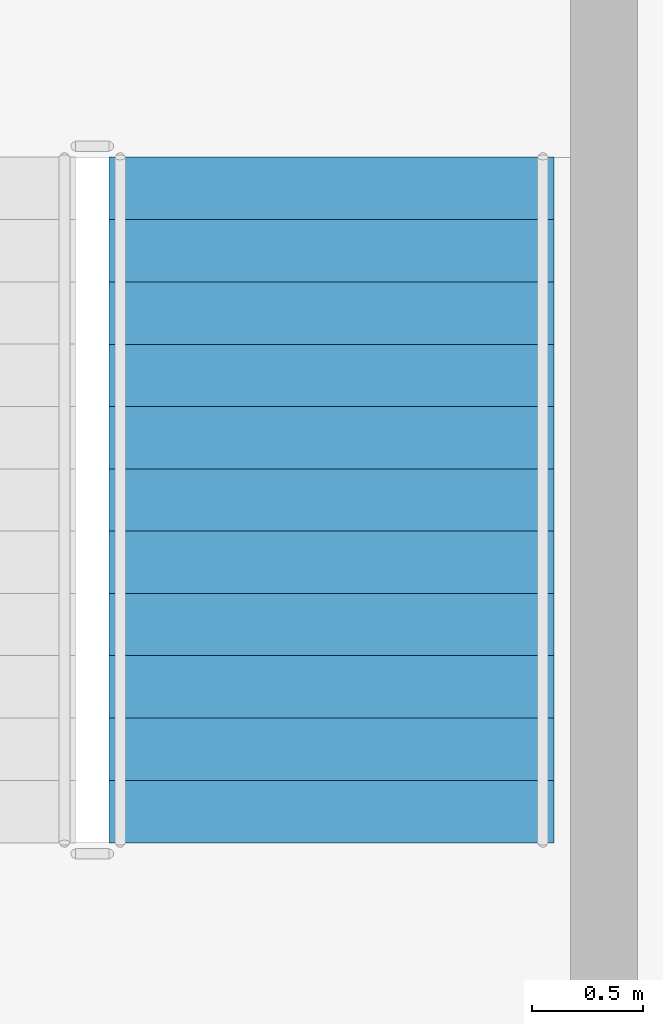
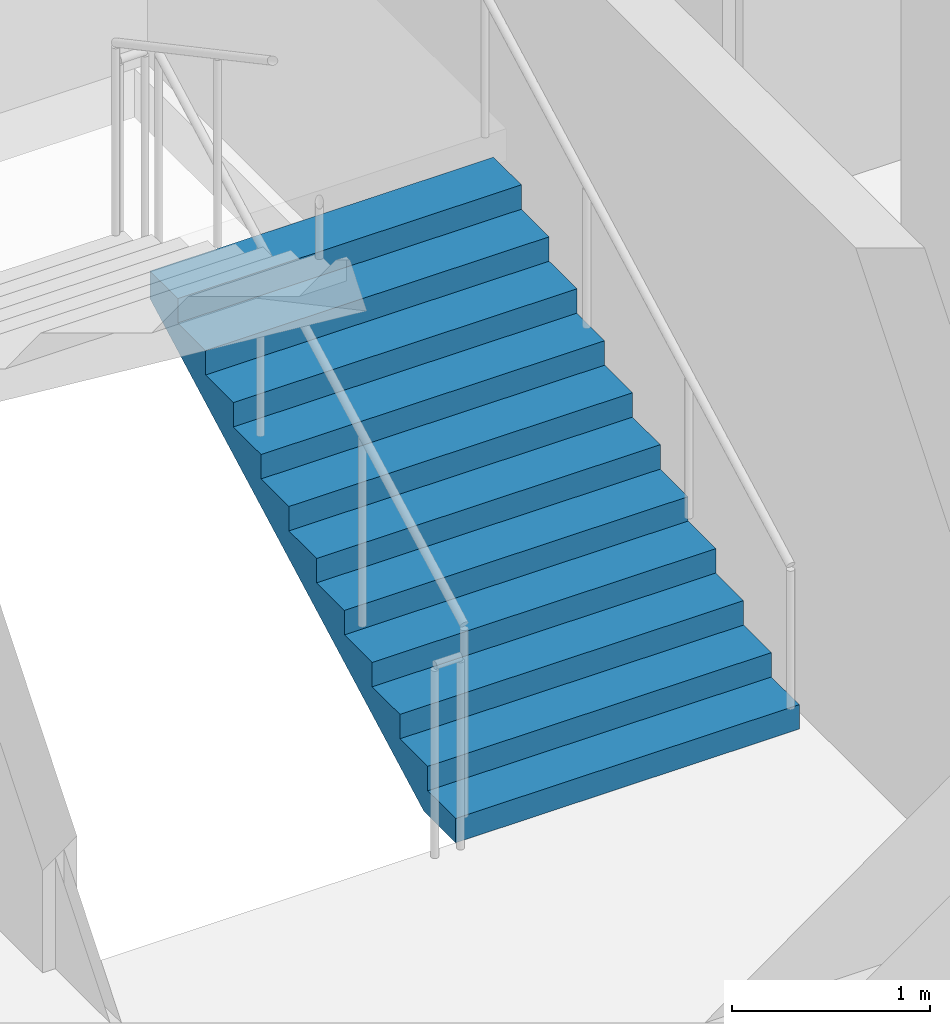
# One storey, part 12 of 15: 1 stair flight, 1 element without a shape of its own.
"""IFC4 building model written with IfcOpenShell, lengths in metres."""

from ifc_helpers import new_model, si_unit, direction, frame, origin, place, context, subcontext, project, spatial, polygons, material, type_object, element, aggregate, save


model = new_model("IFC4")

# Units and contexts
model_context = context("Model", 3, precision=1e-05, world=origin(), true_north=direction((0.0, 1.0)))
body_context = subcontext(model_context, "Body", "Model", "MODEL_VIEW")
ifc_project = project(units=[si_unit("LENGTHUNIT", "METRE"), si_unit("AREAUNIT", "SQUARE_METRE"), si_unit("VOLUMEUNIT", "CUBIC_METRE"), si_unit("PLANEANGLEUNIT", "RADIAN"), si_unit("MASSUNIT", "GRAM", prefix="KILO")], contexts=[model_context])

# Site, building, storey
site_placement = place(None, origin())
site = spatial("IfcSite", under=ifc_project, at=site_placement, CompositionType="ELEMENT")
building_placement = place(site_placement, origin())
building = spatial("IfcBuilding", under=site, at=building_placement, Name="Caravel Reach Hotel and Residences", CompositionType="ELEMENT")
storey_placement = place(building_placement, frame((0.0, 0.0, 92.39990234375)))
storey = spatial("IfcBuildingStorey", under=building, at=storey_placement, Name="L22", CompositionType="ELEMENT", Elevation=92.39990234375)

# Stair, stair flight
ifc_material_1 = material(Name="Concrete C40", Category="concrete")
stair_type = type_object("IfcStairType", Name="Core stair", PredefinedType="HALF_TURN_STAIR", material=ifc_material_1)
stair_placement = place(storey_placement, origin())
stair = element("IfcStair", 1, at=stair_placement, inside=storey, type_object=stair_type, Name="L22 Exit stair B", PredefinedType="HALF_TURN_STAIR")
ifc_material_2 = material(Name="Concrete C40", Category="concrete")
stair_flight_type = type_object("IfcStairFlightType", Name="Core stair flight", PredefinedType="STRAIGHT", material=ifc_material_2)
stair_flight_placement = place(storey_placement, frame((43.77490234375, 24.64990234375, 0.0), z_axis=(0.0, 0.0, 1.0), x_axis=(0.0, 1.0, 0.0)))
stair_flight = element("IfcStairFlight", 2, at=stair_flight_placement, type_object=stair_flight_type, Name="ST-B flight 1", NumberOfRisers=12, NumberOfTreads=11, PredefinedType="STRAIGHT", RiserHeight=0.15, TreadLength=0.28, context=body_context, shape_type="Tessellation", body=[
    polygons([(0.3174408016601862, 1.0, 0.0), (0.3174408016601862, 0.6666666666666667, 0.0), (0.3174408016601862, 0.33333333333333337, 0.0), (0.3174408016601862, 0.0, 0.0), (0.3174408016601862, -0.33333333333333326, 0.0), (0.3174408016601862, -0.6666666666666667, 0.0), (0.3174408016601862, -1.0, 0.0), (3.081, 1.0, 1.479942427682043), (3.081, 0.6666666666666667, 1.479942427682043), (3.081, 0.33333333333333337, 1.479942427682043), (3.081, 0.0, 1.479942427682043), (3.081, -0.33333333333333326, 1.479942427682043), (3.081, -0.6666666666666667, 1.479942427682043), (3.081, -1.0, 1.479942427682043), (3.081, 1.0, 1.65), (3.081, 0.6666666666666667, 1.65), (3.081, 0.33333333333333337, 1.65), (3.081, 0.0, 1.65), (3.081, -0.33333333333333326, 1.65), (3.081, -0.6666666666666667, 1.65), (3.081, -1.0, 1.65), (2.8000000000000003, 1.0, 1.65), (2.8000000000000003, 0.6666666666666667, 1.65), (2.8000000000000003, 0.33333333333333337, 1.65), (2.8000000000000003, 0.0, 1.65), (2.8000000000000003, -0.33333333333333326, 1.65), (2.8000000000000003, -0.6666666666666667, 1.65), (2.8000000000000003, -1.0, 1.65), (2.8000000000000003, 1.0, 1.5), (2.8000000000000003, 0.6666666666666667, 1.5), (2.8000000000000003, 0.33333333333333337, 1.5), (2.8000000000000003, 0.0, 1.5), (2.8000000000000003, -0.33333333333333326, 1.5), (2.8000000000000003, -0.6666666666666667, 1.5), (2.8000000000000003, -1.0, 1.5), (2.5200000000000005, 1.0, 1.5), (2.5200000000000005, 0.6666666666666667, 1.5), (2.5200000000000005, 0.33333333333333337, 1.5), (2.5200000000000005, 0.0, 1.5), (2.5200000000000005, -0.33333333333333326, 1.5), (2.5200000000000005, -0.6666666666666667, 1.5), (2.5200000000000005, -1.0, 1.5), (2.5200000000000005, 1.0, 1.3499999999999999), (2.5200000000000005, 0.6666666666666667, 1.3499999999999999), (2.5200000000000005, 0.33333333333333337, 1.3499999999999999), (2.5200000000000005, 0.0, 1.3499999999999999), (2.5200000000000005, -0.33333333333333326, 1.3499999999999999), (2.5200000000000005, -0.6666666666666667, 1.3499999999999999), (2.5200000000000005, -1.0, 1.3499999999999999), (2.24, 1.0, 1.3499999999999999), (2.24, 0.6666666666666667, 1.3499999999999999), (2.24, 0.33333333333333337, 1.3499999999999999), (2.24, 0.0, 1.3499999999999999), (2.24, -0.33333333333333326, 1.3499999999999999), (2.24, -0.6666666666666667, 1.3499999999999999), (2.24, -1.0, 1.3499999999999999), (2.24, 1.0, 1.2), (2.24, 0.6666666666666667, 1.2), (2.24, 0.33333333333333337, 1.2), (2.24, 0.0, 1.2), (2.24, -0.33333333333333326, 1.2), (2.24, -0.6666666666666667, 1.2), (2.24, -1.0, 1.2), (1.9600000000000002, 1.0, 1.2), (1.9600000000000002, 0.6666666666666667, 1.2), (1.9600000000000002, 0.33333333333333337, 1.2), (1.9600000000000002, 0.0, 1.2), (1.9600000000000002, -0.33333333333333326, 1.2), (1.9600000000000002, -0.6666666666666667, 1.2), (1.9600000000000002, -1.0, 1.2), (1.9600000000000002, 1.0, 1.05), (1.9600000000000002, 0.6666666666666667, 1.05), (1.9600000000000002, 0.33333333333333337, 1.05), (1.9600000000000002, 0.0, 1.05), (1.9600000000000002, -0.33333333333333326, 1.05), (1.9600000000000002, -0.6666666666666667, 1.05), (1.9600000000000002, -1.0, 1.05), (1.6800000000000002, 1.0, 1.05), (1.6800000000000002, 0.6666666666666667, 1.05), (1.6800000000000002, 0.33333333333333337, 1.05), (1.6800000000000002, 0.0, 1.05), (1.6800000000000002, -0.33333333333333326, 1.05), (1.6800000000000002, -0.6666666666666667, 1.05), (1.6800000000000002, -1.0, 1.05), (1.6800000000000002, 1.0, 0.8999999999999999), (1.6800000000000002, 0.6666666666666667, 0.8999999999999999), (1.6800000000000002, 0.33333333333333337, 0.8999999999999999), (1.6800000000000002, 0.0, 0.8999999999999999), (1.6800000000000002, -0.33333333333333326, 0.8999999999999999), (1.6800000000000002, -0.6666666666666667, 0.8999999999999999), (1.6800000000000002, -1.0, 0.8999999999999999), (1.4000000000000001, 1.0, 0.8999999999999999), (1.4000000000000001, 0.6666666666666667, 0.8999999999999999), (1.4000000000000001, 0.33333333333333337, 0.8999999999999999), (1.4000000000000001, 0.0, 0.8999999999999999), (1.4000000000000001, -0.33333333333333326, 0.8999999999999999), (1.4000000000000001, -0.6666666666666667, 0.8999999999999999), (1.4000000000000001, -1.0, 0.8999999999999999), (1.4000000000000001, 1.0, 0.75), (1.4000000000000001, 0.6666666666666667, 0.75), (1.4000000000000001, 0.33333333333333337, 0.75), (1.4000000000000001, 0.0, 0.75), (1.4000000000000001, -0.33333333333333326, 0.75), (1.4000000000000001, -0.6666666666666667, 0.75), (1.4000000000000001, -1.0, 0.75), (1.12, 1.0, 0.75), (1.12, 0.6666666666666667, 0.75), (1.12, 0.33333333333333337, 0.75), (1.12, 0.0, 0.75), (1.12, -0.33333333333333326, 0.75), (1.12, -0.6666666666666667, 0.75), (1.12, -1.0, 0.75), (1.12, 1.0, 0.6), (1.12, 0.6666666666666667, 0.6), (1.12, 0.33333333333333337, 0.6), (1.12, 0.0, 0.6), (1.12, -0.33333333333333326, 0.6), (1.12, -0.6666666666666667, 0.6), (1.12, -1.0, 0.6), (0.8400000000000001, 1.0, 0.6), (0.8400000000000001, 0.6666666666666667, 0.6), (0.8400000000000001, 0.33333333333333337, 0.6), (0.8400000000000001, 0.0, 0.6), (0.8400000000000001, -0.33333333333333326, 0.6), (0.8400000000000001, -0.6666666666666667, 0.6), (0.8400000000000001, -1.0, 0.6), (0.8400000000000001, 1.0, 0.44999999999999996), (0.8400000000000001, 0.6666666666666667, 0.44999999999999996), (0.8400000000000001, 0.33333333333333337, 0.44999999999999996), (0.8400000000000001, 0.0, 0.44999999999999996), (0.8400000000000001, -0.33333333333333326, 0.44999999999999996), (0.8400000000000001, -0.6666666666666667, 0.44999999999999996), (0.8400000000000001, -1.0, 0.44999999999999996), (0.56, 1.0, 0.44999999999999996), (0.56, 0.6666666666666667, 0.44999999999999996), (0.56, 0.33333333333333337, 0.44999999999999996), (0.56, 0.0, 0.44999999999999996), (0.56, -0.33333333333333326, 0.44999999999999996), (0.56, -0.6666666666666667, 0.44999999999999996), (0.56, -1.0, 0.44999999999999996), (0.56, 1.0, 0.3), (0.56, 0.6666666666666667, 0.3), (0.56, 0.33333333333333337, 0.3), (0.56, 0.0, 0.3), (0.56, -0.33333333333333326, 0.3), (0.56, -0.6666666666666667, 0.3), (0.56, -1.0, 0.3), (0.28, 1.0, 0.3), (0.28, 0.6666666666666667, 0.3), (0.28, 0.33333333333333337, 0.3), (0.28, 0.0, 0.3), (0.28, -0.33333333333333326, 0.3), (0.28, -0.6666666666666667, 0.3), (0.28, -1.0, 0.3), (0.28, 1.0, 0.15), (0.28, 0.6666666666666667, 0.15), (0.28, 0.33333333333333337, 0.15), (0.28, 0.0, 0.15), (0.28, -0.33333333333333326, 0.15), (0.28, -0.6666666666666667, 0.15), (0.28, -1.0, 0.15), (-0.001, 1.0, 0.15), (-0.001, 0.6666666666666667, 0.15), (-0.001, 0.33333333333333337, 0.15), (-0.001, 0.0, 0.15), (-0.001, -0.33333333333333326, 0.15), (-0.001, -0.6666666666666667, 0.15), (-0.001, -1.0, 0.15), (-0.001, 1.0, 0.0), (-0.001, 0.6666666666666667, 0.0), (-0.001, 0.33333333333333337, 0.0), (-0.001, 0.0, 0.0), (-0.001, -0.33333333333333326, 0.0), (-0.001, -0.6666666666666667, 0.0), (-0.001, -1.0, 0.0)], [[[169, 162, 155, 148, 141, 134, 127, 120, 113, 106, 99, 92, 85, 78, 71, 64, 57, 50, 43, 36, 29, 22, 15, 8, 1]], [[7, 14, 21, 28, 35, 42, 49, 56, 63, 70, 77, 84, 91, 98, 105, 112, 119, 126, 133, 140, 147, 154, 161, 168, 175]], [[1, 8, 9, 2]], [[2, 9, 10, 3]], [[3, 10, 11, 4]], [[4, 11, 12, 5]], [[5, 12, 13, 6]], [[6, 13, 14, 7]], [[8, 15, 16, 9]], [[9, 16, 17, 10]], [[10, 17, 18, 11]], [[11, 18, 19, 12]], [[12, 19, 20, 13]], [[13, 20, 21, 14]], [[15, 22, 23, 16]], [[16, 23, 24, 17]], [[17, 24, 25, 18]], [[18, 25, 26, 19]], [[19, 26, 27, 20]], [[20, 27, 28, 21]], [[22, 29, 30, 23]], [[23, 30, 31, 24]], [[24, 31, 32, 25]], [[25, 32, 33, 26]], [[26, 33, 34, 27]], [[27, 34, 35, 28]], [[29, 36, 37, 30]], [[30, 37, 38, 31]], [[31, 38, 39, 32]], [[32, 39, 40, 33]], [[33, 40, 41, 34]], [[34, 41, 42, 35]], [[36, 43, 44, 37]], [[37, 44, 45, 38]], [[38, 45, 46, 39]], [[39, 46, 47, 40]], [[40, 47, 48, 41]], [[41, 48, 49, 42]], [[43, 50, 51, 44]], [[44, 51, 52, 45]], [[45, 52, 53, 46]], [[46, 53, 54, 47]], [[47, 54, 55, 48]], [[48, 55, 56, 49]], [[50, 57, 58, 51]], [[51, 58, 59, 52]], [[52, 59, 60, 53]], [[53, 60, 61, 54]], [[54, 61, 62, 55]], [[55, 62, 63, 56]], [[57, 64, 65, 58]], [[58, 65, 66, 59]], [[59, 66, 67, 60]], [[60, 67, 68, 61]], [[61, 68, 69, 62]], [[62, 69, 70, 63]], [[64, 71, 72, 65]], [[65, 72, 73, 66]], [[66, 73, 74, 67]], [[67, 74, 75, 68]], [[68, 75, 76, 69]], [[69, 76, 77, 70]], [[71, 78, 79, 72]], [[72, 79, 80, 73]], [[73, 80, 81, 74]], [[74, 81, 82, 75]], [[75, 82, 83, 76]], [[76, 83, 84, 77]], [[78, 85, 86, 79]], [[79, 86, 87, 80]], [[80, 87, 88, 81]], [[81, 88, 89, 82]], [[82, 89, 90, 83]], [[83, 90, 91, 84]], [[85, 92, 93, 86]], [[86, 93, 94, 87]], [[87, 94, 95, 88]], [[88, 95, 96, 89]], [[89, 96, 97, 90]], [[90, 97, 98, 91]], [[92, 99, 100, 93]], [[93, 100, 101, 94]], [[94, 101, 102, 95]], [[95, 102, 103, 96]], [[96, 103, 104, 97]], [[97, 104, 105, 98]], [[99, 106, 107, 100]], [[100, 107, 108, 101]], [[101, 108, 109, 102]], [[102, 109, 110, 103]], [[103, 110, 111, 104]], [[104, 111, 112, 105]], [[106, 113, 114, 107]], [[107, 114, 115, 108]], [[108, 115, 116, 109]], [[109, 116, 117, 110]], [[110, 117, 118, 111]], [[111, 118, 119, 112]], [[113, 120, 121, 114]], [[114, 121, 122, 115]], [[115, 122, 123, 116]], [[116, 123, 124, 117]], [[117, 124, 125, 118]], [[118, 125, 126, 119]], [[120, 127, 128, 121]], [[121, 128, 129, 122]], [[122, 129, 130, 123]], [[123, 130, 131, 124]], [[124, 131, 132, 125]], [[125, 132, 133, 126]], [[127, 134, 135, 128]], [[128, 135, 136, 129]], [[129, 136, 137, 130]], [[130, 137, 138, 131]], [[131, 138, 139, 132]], [[132, 139, 140, 133]], [[134, 141, 142, 135]], [[135, 142, 143, 136]], [[136, 143, 144, 137]], [[137, 144, 145, 138]], [[138, 145, 146, 139]], [[139, 146, 147, 140]], [[141, 148, 149, 142]], [[142, 149, 150, 143]], [[143, 150, 151, 144]], [[144, 151, 152, 145]], [[145, 152, 153, 146]], [[146, 153, 154, 147]], [[148, 155, 156, 149]], [[149, 156, 157, 150]], [[150, 157, 158, 151]], [[151, 158, 159, 152]], [[152, 159, 160, 153]], [[153, 160, 161, 154]], [[155, 162, 163, 156]], [[156, 163, 164, 157]], [[157, 164, 165, 158]], [[158, 165, 166, 159]], [[159, 166, 167, 160]], [[160, 167, 168, 161]], [[162, 169, 170, 163]], [[163, 170, 171, 164]], [[164, 171, 172, 165]], [[165, 172, 173, 166]], [[166, 173, 174, 167]], [[167, 174, 175, 168]], [[169, 1, 2, 170]], [[170, 2, 3, 171]], [[171, 3, 4, 172]], [[172, 4, 5, 173]], [[173, 5, 6, 174]], [[174, 6, 7, 175]]], closed=True),
])
aggregate(stair, [stair_flight])

save(model, "model.ifc")
